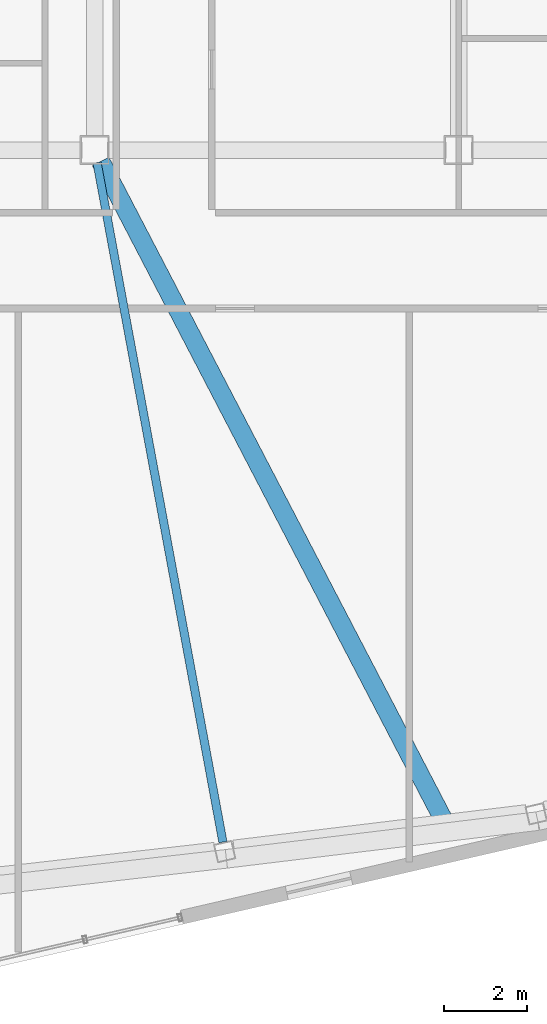
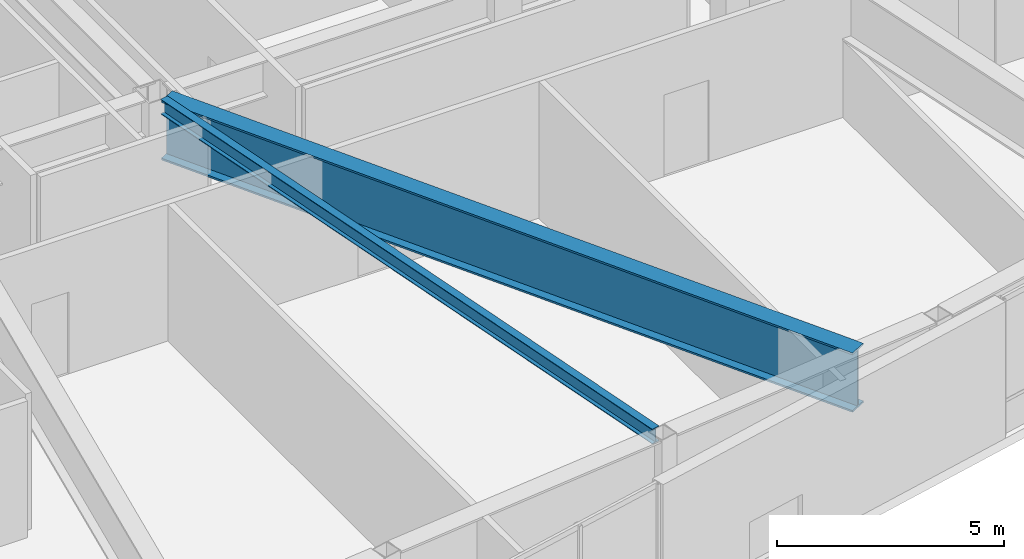
# One storey, part 9 of 23: 2 beams.
"""IFC4 building model written with IfcOpenShell, lengths in metres."""

from ifc_helpers import new_model, si_unit, direction, frame, origin, origin_2d, place, context, subcontext, project, spatial, i_section, extrude, material, material_profile, profile_set, type_object, element, save


model = new_model("IFC4")

# Units and contexts
model_context = context("Model", 3, precision=1e-05, world=origin(), true_north=direction((0.0, 1.0)))
body_context = subcontext(model_context, "Body", "Model", "MODEL_VIEW")
ifc_project = project(units=[si_unit("LENGTHUNIT", "METRE"), si_unit("AREAUNIT", "SQUARE_METRE"), si_unit("VOLUMEUNIT", "CUBIC_METRE"), si_unit("PLANEANGLEUNIT", "RADIAN"), si_unit("MASSUNIT", "GRAM", prefix="KILO")], contexts=[model_context])

# Site, building, storey
site_placement = place(None, origin())
site = spatial("IfcSite", under=ifc_project, at=site_placement, CompositionType="ELEMENT")
building_placement = place(site_placement, origin())
building = spatial("IfcBuilding", under=site, at=building_placement, Name="Tavrogorsk Clinical Tower", CompositionType="ELEMENT")
storey_placement = place(building_placement, frame((0.0, 0.0, 329.0)))
storey = spatial("IfcBuildingStorey", under=building, at=storey_placement, Name="L77", CompositionType="ELEMENT", Elevation=329.0)

# Beams
ifc_material_1 = material(Name="Structural steel S355", Category="steel")
ifc_material_profile_1 = material_profile(ifc_material_1, i_section(OverallWidth=0.199951171875, OverallDepth=0.39990234375, WebThickness=0.010498046875, FlangeThickness=0.01611328125, at=origin_2d()), Name="B-400x200x10.5x16")
ifc_profile_set_1 = profile_set([ifc_material_profile_1], Name="Structural steel S355")
beam_type_1 = type_object("IfcBeamType", Name="FloorBeam_B400", PredefinedType="BEAM", material=ifc_profile_set_1)
beam_1_placement = place(storey_placement, frame((-4.343505859375, -6.65478515625, 3.47998046875), z_axis=(0.182181887688, -0.98326484723, 0.0), x_axis=(0.98326484723, 0.182181887688, 0.0)))
element("IfcBeam", 1, at=beam_1_placement, inside=storey, type_object=beam_type_1, Name="L77 Radial Floor Beam S4", PredefinedType="BEAM", context=body_context, shape_type="SweptSolid", body=[
    extrude(i_section(OverallWidth=0.199951171875, OverallDepth=0.39990234375, WebThickness=0.010498046875, FlangeThickness=0.01611328125, at=origin_2d()), origin(), (0.0, 0.0, 1.0), 16.70556640625),
])
ifc_material_2 = material(Name="Structural steel S440", Category="steel")
ifc_material_profile_2 = material_profile(ifc_material_2, i_section(OverallWidth=0.449951171875, OverallDepth=1.60009765625, WebThickness=0.031982421875, FlangeThickness=0.050048828125, at=origin_2d()), Name="DK-1600x450x32x50")
ifc_profile_set_2 = profile_set([ifc_material_profile_2], Name="Structural steel S440")
beam_type_2 = type_object("IfcBeamType", Name="TransferGirder_DK1600", PredefinedType="USERDEFINED", material=ifc_profile_set_2)
beam_2_placement = place(storey_placement, frame((-4.2568359375, -6.625, 2.8798828125), z_axis=(0.461855637389, -0.886955111723, 0.0), x_axis=(0.886955111723, 0.461855637389, 0.0)))
element("IfcBeam", 2, at=beam_2_placement, inside=storey, type_object=beam_type_2, Name="L78 Crown Base Transfer Girder 06", ObjectType="GIRDER", PredefinedType="USERDEFINED", context=body_context, shape_type="SweptSolid", body=[
    extrude(i_section(OverallWidth=0.449951171875, OverallDepth=1.60009765625, WebThickness=0.031982421875, FlangeThickness=0.050048828125, at=origin_2d()), origin(), (0.0, 0.0, 1.0), 18.080078125),
])

save(model, "model.ifc")
